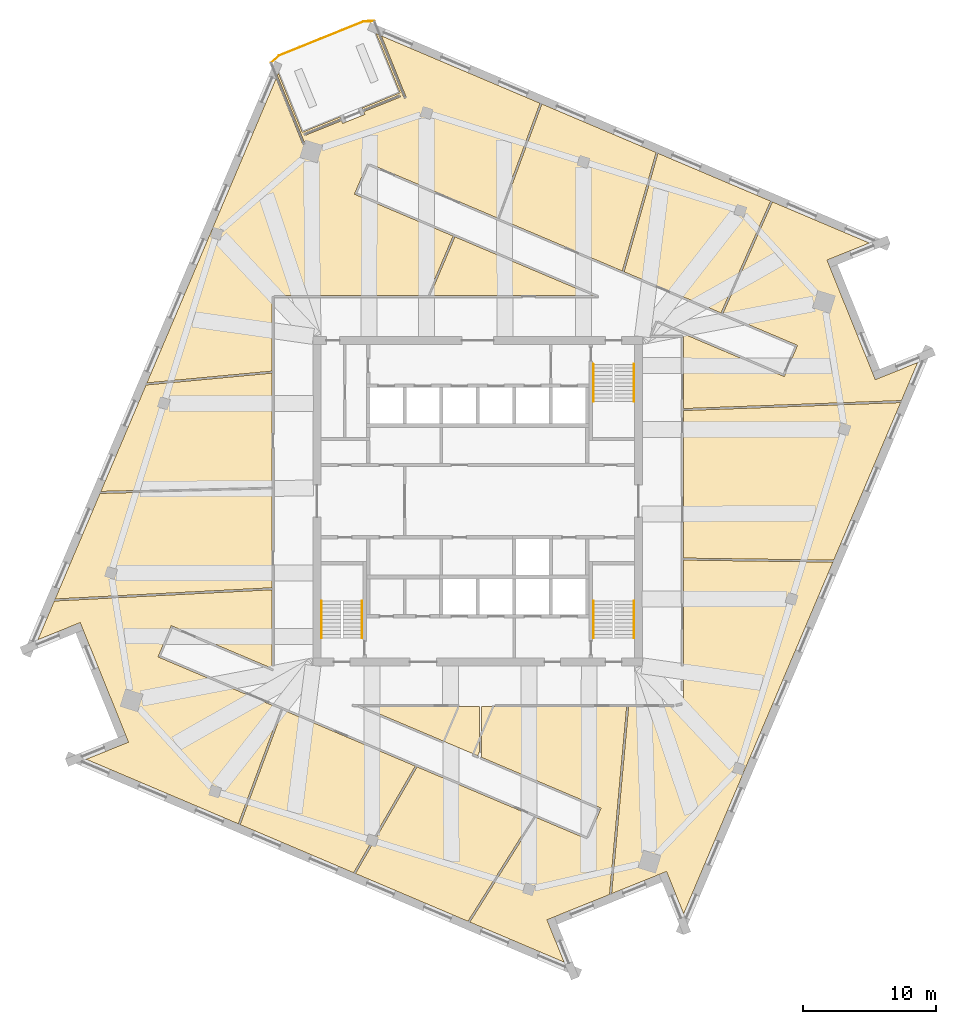
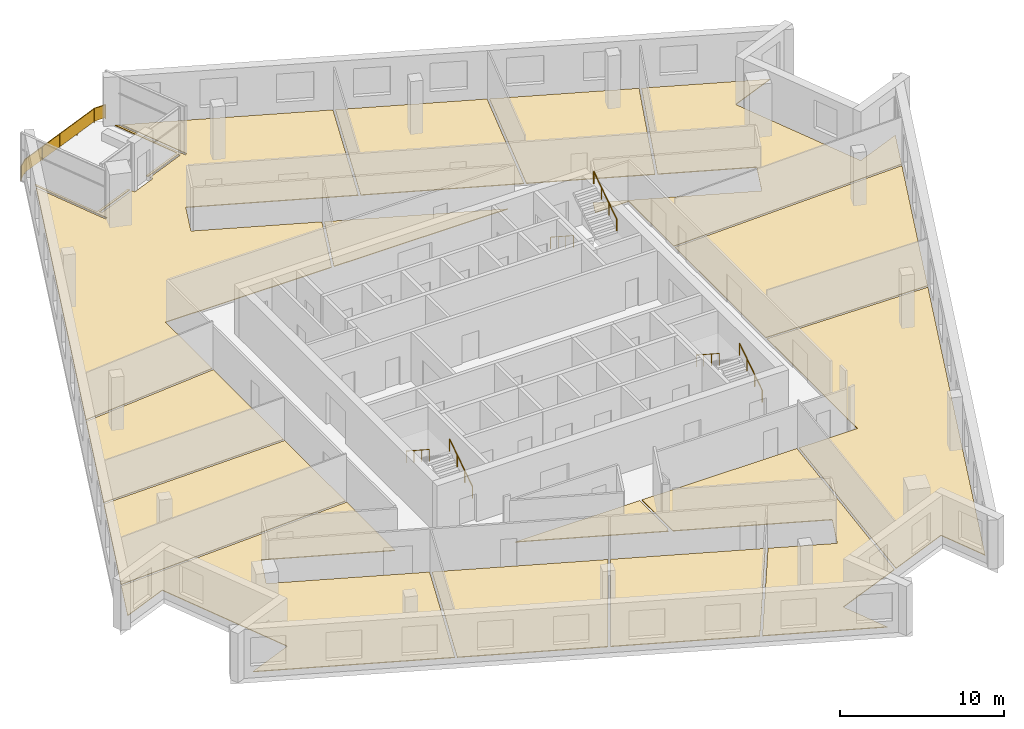
# One storey, part 12 of 13: 14 coverings, 7 railings.
"""IFC4 building model written with IfcOpenShell, lengths in metres."""

from ifc_helpers import new_model, si_unit, direction, frame, origin, origin_2d, place, context, subcontext, project, spatial, polyline, rectangle, circle, outline, extrude, material, layer, layer_set, type_object, element, save


model = new_model("IFC4")

# Units and contexts
model_context = context("Model", 3, precision=1e-05, world=origin(), true_north=direction((0.0, 1.0)))
body_context = subcontext(model_context, "Body", "Model", "MODEL_VIEW")
ifc_project = project(units=[si_unit("LENGTHUNIT", "METRE"), si_unit("AREAUNIT", "SQUARE_METRE"), si_unit("VOLUMEUNIT", "CUBIC_METRE"), si_unit("PLANEANGLEUNIT", "RADIAN"), si_unit("MASSUNIT", "GRAM", prefix="KILO")], contexts=[model_context])

# Site, building, storey
site_placement = place(None, origin())
site = spatial("IfcSite", under=ifc_project, at=site_placement, CompositionType="ELEMENT")
building_placement = place(site_placement, origin())
building = spatial("IfcBuilding", under=site, at=building_placement, Name="Dilmun Exchange Tower", CompositionType="ELEMENT")
storey_placement = place(building_placement, frame((0.0, 0.0, 300.5)))
storey = spatial("IfcBuildingStorey", under=building, at=storey_placement, Name="L71", CompositionType="ELEMENT", Elevation=300.5)

# Coverings
ifc_material_1 = material(Name="Carpet floor finish 50")
ifc_layer_1 = layer(ifc_material_1, 0.050048828125)
ifc_layer_set_1 = layer_set([ifc_layer_1], Name="Carpet floor finish 50")
covering_type_1 = type_object("IfcCoveringType", Name="Carpet floor finish 50", PredefinedType="FLOORING", material=ifc_layer_set_1)
covering_1_placement = place(storey_placement, origin())
element("IfcCovering", 1, at=covering_1_placement, inside=storey, type_object=covering_type_1, Name="Carpet floor finish 50 Garden lounge", PredefinedType="FLOORING", context=body_context, shape_type="SweptSolid", body=[
    extrude(outline(polyline([(-10.367919921875, 28.916259765625), (-10.314208984375, 28.78369140625), (-13.083740234375, 27.664794921875), (-13.083984375, 27.66455078125), (-13.084228515625, 27.66455078125), (-13.084228515625, 27.664306640625), (-13.08447265625, 27.664306640625), (-13.084716796875, 27.664306640625), (-13.084716796875, 27.6640625), (-13.084716796875, 27.663818359375), (-13.0849609375, 27.663818359375), (-13.0849609375, 27.66357421875), (-13.0849609375, 27.663330078125), (-13.085205078125, 27.6630859375), (-13.085205078125, 27.662841796875), (-13.085205078125, 27.66259765625), (-13.0849609375, 27.66259765625), (-13.0849609375, 27.662353515625), (-13.0849609375, 27.662109375), (-13.02490234375, 27.513916015625), (-13.02490234375, 27.513671875), (-13.02490234375, 27.513427734375), (-13.024658203125, 27.51318359375), (-13.024658203125, 27.51318359375), (-13.0244140625, 27.512939453125), (-13.0244140625, 27.512939453125), (-13.024169921875, 27.5126953125), (-13.02392578125, 27.5126953125), (-13.023681640625, 27.5126953125), (-13.0234375, 27.5126953125), (-13.023193359375, 27.512451171875), (-13.023193359375, 27.512451171875), (-13.02294921875, 27.512451171875), (-13.022705078125, 27.5126953125), (-13.022705078125, 27.5126953125), (-13.0224609375, 27.5126953125), (-10.252685546875, 28.631591796875), (-10.171142578125, 28.429443359375), (-10.171142578125, 28.42919921875), (-10.1708984375, 28.42919921875), (-10.1708984375, 28.428955078125), (-10.170654296875, 28.4287109375), (-10.170654296875, 28.4287109375), (-10.17041015625, 28.4287109375), (-10.17041015625, 28.428466796875), (-10.170166015625, 28.428466796875), (-10.169921875, 28.42822265625), (-10.169677734375, 28.42822265625), (-10.16943359375, 28.42822265625), (-10.169189453125, 28.42822265625), (-10.169189453125, 28.42822265625), (-10.1689453125, 28.42822265625), (-10.168701171875, 28.42822265625), (-10.168701171875, 28.428466796875), (-8.499755859375, 29.102783203125), (-8.49951171875, 29.102783203125), (-8.499267578125, 29.102783203125), (-8.499267578125, 29.10302734375), (-8.4990234375, 29.10302734375), (-8.498779296875, 29.103271484375), (-8.498779296875, 29.103515625), (-8.498779296875, 29.103515625), (-8.49853515625, 29.103759765625), (-8.49853515625, 29.10400390625), (-8.49853515625, 29.10400390625), (-8.498291015625, 29.104248046875), (-8.498291015625, 29.1044921875), (-8.498291015625, 29.104736328125), (-8.49853515625, 29.10498046875), (-8.49853515625, 29.10498046875), (-8.49853515625, 29.105224609375), (-8.580078125, 29.307373046875), (-5.810546875, 30.426513671875), (-5.810302734375, 30.426513671875), (-5.810302734375, 30.426513671875), (-5.81005859375, 30.4267578125), (-5.809814453125, 30.4267578125), (-5.809814453125, 30.427001953125), (-5.809814453125, 30.427001953125), (-5.8095703125, 30.42724609375), (-5.8095703125, 30.427490234375), (-5.809326171875, 30.427490234375), (-5.809326171875, 30.427734375), (-5.809326171875, 30.427978515625), (-5.809326171875, 30.42822265625), (-5.809326171875, 30.428466796875), (-5.809326171875, 30.4287109375), (-5.809326171875, 30.4287109375), (-5.8095703125, 30.428955078125), (-5.869384765625, 30.577392578125), (-5.869384765625, 30.577392578125), (-5.86962890625, 30.57763671875), (-5.86962890625, 30.577880859375), (-5.869873046875, 30.577880859375), (-5.8701171875, 30.578125), (-5.8701171875, 30.578125), (-5.870361328125, 30.578369140625), (-5.87060546875, 30.578369140625), (-5.87060546875, 30.57861328125), (-5.870849609375, 30.57861328125), (-5.87109375, 30.57861328125), (-5.87109375, 30.57861328125), (-5.871337890625, 30.57861328125), (-5.87158203125, 30.57861328125), (-5.871826171875, 30.57861328125), (-5.8720703125, 30.578369140625), (-8.6416015625, 29.45947265625), (-8.6953125, 29.592041015625), (-5.856201171875, 30.739013671875), (-7.65234375, 35.18505859375), (-7.46630859375, 35.106201171875), (-5.52685546875, 30.305908203125), (-5.526611328125, 30.3056640625), (-5.526611328125, 30.305419921875), (-5.526611328125, 30.305419921875), (-5.5263671875, 30.30517578125), (-5.5263671875, 30.30517578125), (-5.526123046875, 30.304931640625), (-5.52587890625, 30.304931640625), (-5.52587890625, 30.3046875), (-5.525634765625, 30.3046875), (-5.525390625, 30.3046875), (-5.525146484375, 30.3046875), (-5.52490234375, 30.3046875), (-5.52490234375, 30.3046875), (-5.524658203125, 30.3046875), (-5.5244140625, 30.3046875), (-5.524169921875, 30.3046875), (-5.3759765625, 30.36474609375), (-5.375732421875, 30.36474609375), (-5.37548828125, 30.364990234375), (-5.37548828125, 30.364990234375), (-5.375244140625, 30.364990234375), (-5.375, 30.365234375), (-5.375, 30.365478515625), (-5.375, 30.365478515625), (-5.374755859375, 30.36572265625), (-5.374755859375, 30.365966796875), (-5.374755859375, 30.3662109375), (-5.37451171875, 30.366455078125), (-5.37451171875, 30.36669921875), (-5.37451171875, 30.36669921875), (-5.374755859375, 30.366943359375), (-5.374755859375, 30.3671875), (-5.374755859375, 30.3671875), (-7.252685546875, 35.015380859375), (4.689697265625, 29.946044921875), (1.4921875, 21.30224609375), (-8.284423828125, 25.4521484375), (-9.28076171875, 23.10498046875), (-1.856201171875, 19.953369140625), (-3.757080078125, 15.47509765625), (-15.47509765625, 15.47509765625), (-15.47509765625, 9.785400390625), (-24.90087890625, 8.897705078125), (-15.1728515625, 31.8154296875), (-13.162109375, 26.839111328125), (-13.162109375, 26.8388671875), (-13.162109375, 26.838623046875), (-13.161865234375, 26.83837890625), (-13.161865234375, 26.83837890625), (-13.16162109375, 26.838134765625), (-13.16162109375, 26.838134765625), (-13.161376953125, 26.837890625), (-13.1611328125, 26.837890625), (-13.160888671875, 26.837890625), (-13.160888671875, 26.837890625), (-13.16064453125, 26.837646484375), (-13.160400390625, 26.837646484375), (-13.16015625, 26.837646484375), (-13.159912109375, 26.837890625), (-13.159912109375, 26.837890625), (-13.15966796875, 26.837890625), (-13.01123046875, 26.897705078125), (-13.010986328125, 26.89794921875), (-13.010986328125, 26.89794921875), (-13.0107421875, 26.898193359375), (-13.010498046875, 26.898193359375), (-13.010498046875, 26.8984375), (-13.010498046875, 26.8984375), (-13.01025390625, 26.898681640625), (-13.01025390625, 26.89892578125), (-13.010009765625, 26.899169921875), (-13.010009765625, 26.8994140625), (-13.010009765625, 26.8994140625), (-13.010009765625, 26.899658203125), (-13.010009765625, 26.89990234375), (-13.010009765625, 26.89990234375), (-13.010009765625, 26.900146484375), (-13.01025390625, 26.900390625), (-15.082275390625, 32.029052734375), (-15.00341796875, 32.215087890625), (-13.20703125, 27.769287109375), (-10.367919921875, 28.916259765625)])), origin(), (0.0, 0.0, 1.0), 0.050048828125),
])
covering_2_placement = place(storey_placement, origin())
element("IfcCovering", 2, at=covering_2_placement, inside=storey, type_object=covering_type_1, Name="Carpet floor finish 50 Break-out lounge", PredefinedType="FLOORING", context=body_context, shape_type="SweptSolid", body=[
    extrude(outline(polyline([(0.268310546875, -15.47509765625), (11.2041015625, -15.47509765625), (9.9169921875, -29.608642578125), (5.768310546875, -31.284912109375), (5.2119140625, -31.509521484375), (5.211669921875, -31.509521484375), (5.21142578125, -31.509765625), (5.21142578125, -31.509765625), (5.211181640625, -31.510009765625), (5.211181640625, -31.510009765625), (5.2109375, -31.51025390625), (5.2109375, -31.510498046875), (5.210693359375, -31.510498046875), (5.210693359375, -31.5107421875), (5.210693359375, -31.510986328125), (5.210693359375, -31.51123046875), (5.210693359375, -31.511474609375), (5.210693359375, -31.51171875), (5.210693359375, -31.51171875), (5.210693359375, -31.511962890625), (5.210693359375, -31.51220703125), (6.49658203125, -34.6943359375), (-0.594970703125, -31.684326171875), (4.365478515625, -23.788818359375), (8.284423828125, -25.4521484375), (9.28076171875, -23.10498046875), (0.268310546875, -19.279296875), (0.268310546875, -15.47509765625)])), origin(), (0.0, 0.0, 1.0), 0.050048828125),
])
covering_3_placement = place(storey_placement, origin())
element("IfcCovering", 3, at=covering_3_placement, inside=storey, type_object=covering_type_1, Name="Carpet floor finish 50 Headquarters office", PredefinedType="FLOORING", context=body_context, shape_type="SweptSolid", body=[
    extrude(outline(polyline([(15.47509765625, -4.43505859375), (26.728271484375, -4.5927734375), (15.493896484375, -31.05908203125), (14.208251953125, -27.876953125), (14.2080078125, -27.876708984375), (14.2080078125, -27.876708984375), (14.2080078125, -27.87646484375), (14.207763671875, -27.876220703125), (14.20751953125, -27.876220703125), (14.20751953125, -27.876220703125), (14.207275390625, -27.8759765625), (14.20703125, -27.8759765625), (14.20703125, -27.875732421875), (14.206787109375, -27.875732421875), (14.20654296875, -27.875732421875), (14.206298828125, -27.875732421875), (14.206298828125, -27.875732421875), (14.2060546875, -27.875732421875), (14.205810546875, -27.875732421875), (14.20556640625, -27.8759765625), (13.649658203125, -28.1005859375), (13.649658203125, -28.1005859375), (13.6494140625, -28.1005859375), (13.6494140625, -28.1005859375), (10.0732421875, -29.54541015625), (11.354736328125, -15.47509765625), (15.47509765625, -15.47509765625), (15.47509765625, -4.43505859375)])), origin(), (0.0, 0.0, 1.0), 0.050048828125),
])
ifc_material_2 = material(Name="Rubber floor finish 50")
ifc_layer_2 = layer(ifc_material_2, 0.050048828125)
ifc_layer_set_2 = layer_set([ifc_layer_2], Name="Rubber floor finish 50")
covering_type_2 = type_object("IfcCoveringType", Name="Rubber floor finish 50", PredefinedType="FLOORING", material=ifc_layer_set_2)
covering_4_placement = place(storey_placement, origin())
element("IfcCovering", 4, at=covering_4_placement, inside=storey, type_object=covering_type_2, Name="Rubber floor finish 50 Fitness room 1", PredefinedType="FLOORING", context=body_context, shape_type="SweptSolid", body=[
    extrude(outline(polyline([(-15.47509765625, -6.51904296875), (-31.8037109375, -7.364013671875), (-28.43115234375, 0.5810546875), (-15.47509765625, 0.909423828125), (-15.47509765625, -6.51904296875)])), origin(), (0.0, 0.0, 1.0), 0.050048828125),
])
covering_5_placement = place(storey_placement, origin())
element("IfcCovering", 5, at=covering_5_placement, inside=storey, type_object=covering_type_2, Name="Rubber floor finish 50 Fitness room 2", PredefinedType="FLOORING", context=body_context, shape_type="SweptSolid", body=[
    extrude(outline(polyline([(-14.81396484375, -15.647705078125), (-18.021240234375, -24.287109375), (-29.469970703125, -19.427490234375), (-26.28759765625, -18.141845703125), (-26.28759765625, -18.141845703125), (-26.287353515625, -18.1416015625), (-26.287109375, -18.1416015625), (-26.287109375, -18.1416015625), (-26.286865234375, -18.141357421875), (-26.286865234375, -18.14111328125), (-26.28662109375, -18.14111328125), (-26.28662109375, -18.140869140625), (-26.28662109375, -18.140625), (-26.28662109375, -18.140380859375), (-26.286376953125, -18.140380859375), (-26.286376953125, -18.14013671875), (-26.286376953125, -18.139892578125), (-26.28662109375, -18.1396484375), (-26.28662109375, -18.139404296875), (-26.28662109375, -18.139404296875), (-26.51123046875, -17.58349609375), (-26.51123046875, -17.583251953125), (-26.51123046875, -17.583251953125), (-26.51123046875, -17.5830078125), (-29.695556640625, -9.701904296875), (-29.920166015625, -9.1455078125), (-29.92041015625, -9.1455078125), (-29.92041015625, -9.145263671875), (-29.92041015625, -9.14501953125), (-29.920654296875, -9.14501953125), (-29.9208984375, -9.144775390625), (-29.9208984375, -9.144775390625), (-29.921142578125, -9.14453125), (-29.92138671875, -9.14453125), (-29.92138671875, -9.144287109375), (-29.921630859375, -9.144287109375), (-29.921875, -9.144287109375), (-29.922119140625, -9.144287109375), (-29.92236328125, -9.144287109375), (-29.922607421875, -9.144287109375), (-29.922607421875, -9.144287109375), (-29.9228515625, -9.14453125), (-33.10498046875, -10.43017578125), (-31.868896484375, -7.517578125), (-15.47509765625, -6.669189453125), (-15.47509765625, -12.5966796875), (-23.0673828125, -9.3740234375), (-24.063720703125, -11.72119140625), (-14.81396484375, -15.647705078125)])), origin(), (0.0, 0.0, 1.0), 0.050048828125),
])
covering_6_placement = place(storey_placement, origin())
element("IfcCovering", 6, at=covering_6_placement, inside=storey, type_object=covering_type_2, Name="Rubber floor finish 50 Fitness room 3", PredefinedType="FLOORING", context=body_context, shape_type="SweptSolid", body=[
    extrude(outline(polyline([(-24.508544921875, 0.83056640625), (-28.36669921875, 0.73291015625), (-24.967529296875, 8.74072265625), (-15.47509765625, 9.634765625), (-15.47509765625, 1.059326171875), (-24.508544921875, 0.83056640625)])), origin(), (0.0, 0.0, 1.0), 0.050048828125),
])
covering_7_placement = place(storey_placement, origin())
element("IfcCovering", 7, at=covering_7_placement, inside=storey, type_object=covering_type_2, Name="Rubber floor finish 50 Fitness room 4", PredefinedType="FLOORING", context=body_context, shape_type="SweptSolid", body=[
    extrude(outline(polyline([(18.30908203125, 14.163818359375), (11.0166015625, 17.259521484375), (13.56201171875, 26.18017578125), (22.03857421875, 22.58203125), (18.30908203125, 14.163818359375)])), origin(), (0.0, 0.0, 1.0), 0.050048828125),
])
covering_8_placement = place(storey_placement, origin())
element("IfcCovering", 8, at=covering_8_placement, inside=storey, type_object=covering_type_2, Name="Rubber floor finish 50 Fitness room 5", PredefinedType="FLOORING", context=body_context, shape_type="SweptSolid", body=[
    extrude(outline(polyline([(13.510009765625, 13.430908203125), (23.0673828125, 9.374267578125), (24.063232421875, 11.72119140625), (18.447265625, 14.105224609375), (22.1767578125, 22.523193359375), (29.469970703125, 19.427490234375), (26.28759765625, 18.141845703125), (26.28759765625, 18.141845703125), (26.287353515625, 18.1416015625), (26.287109375, 18.1416015625), (26.287109375, 18.1416015625), (26.286865234375, 18.141357421875), (26.286865234375, 18.14111328125), (26.28662109375, 18.14111328125), (26.28662109375, 18.140869140625), (26.28662109375, 18.140625), (26.28662109375, 18.140380859375), (26.286376953125, 18.140380859375), (26.286376953125, 18.14013671875), (26.286376953125, 18.139892578125), (26.28662109375, 18.1396484375), (26.28662109375, 18.139404296875), (26.28662109375, 18.139404296875), (26.51123046875, 17.58349609375), (26.51123046875, 17.583251953125), (26.51123046875, 17.583251953125), (26.51123046875, 17.5830078125), (29.695556640625, 9.701904296875), (29.920166015625, 9.1455078125), (29.92041015625, 9.1455078125), (29.92041015625, 9.145263671875), (29.92041015625, 9.14501953125), (29.920654296875, 9.14501953125), (29.9208984375, 9.144775390625), (29.9208984375, 9.144775390625), (29.921142578125, 9.14453125), (29.92138671875, 9.14453125), (29.92138671875, 9.144287109375), (29.921630859375, 9.144287109375), (29.921875, 9.144287109375), (29.922119140625, 9.144287109375), (29.92236328125, 9.144287109375), (29.922607421875, 9.144287109375), (29.922607421875, 9.144287109375), (29.9228515625, 9.14453125), (33.10498046875, 10.43017578125), (31.89111328125, 7.56982421875), (15.47509765625, 6.964111328125), (15.47509765625, 12.474609375), (13.104248046875, 12.47509765625), (13.510009765625, 13.430908203125)])), origin(), (0.0, 0.0, 1.0), 0.050048828125),
])

# Railings
ifc_material_3 = material(Name="Stainless steel", Category="steel")
railing_type_1 = type_object("IfcRailingType", Name="Stair handrail 900", PredefinedType="HANDRAIL", material=ifc_material_3)
railing_1_placement = place(storey_placement, frame((8.699951171875, 10.300048828125, 0.181884765625)))
element("IfcRailing", 9, at=railing_1_placement, inside=storey, type_object=railing_type_1, Name="L71 ST1 stair handrail 1", PredefinedType="HANDRAIL", context=body_context, shape_type="SweptSolid", body=[
    extrude(circle(Radius=0.02392578125, at=origin_2d()), frame((0.0, 0.0, 0.8759765625), z_axis=(0.0, -0.838705829183, 0.544584733623), x_axis=(1.0, 0.0, 0.0)), (0.0, 0.0, 1.0), 3.338623046875),
    extrude(circle(Radius=0.02099609375, at=origin_2d()), origin(), (0.0, 0.0, 1.0), 0.851806640625),
    extrude(circle(Radius=0.02099609375, at=origin_2d()), frame((0.0, -0.933349609375, 0.60595703125)), (0.0, 0.0, 1.0), 0.851806640625),
    extrude(circle(Radius=0.02099609375, at=origin_2d()), frame((0.0, -1.86669921875, 1.212158203125)), (0.0, 0.0, 1.0), 0.851806640625),
    extrude(circle(Radius=0.02099609375, at=origin_2d()), frame((0.0, -2.800048828125, 1.818115234375)), (0.0, 0.0, 1.0), 0.851806640625),
])
for number, where, name in (
    (10, (11.75, 7.5, 2.181884765625), "L71 ST1 stair handrail 2"),
    (11, (-8.699951171875, -10.300048828125, 0.181884765625), "L71 ST2 stair handrail 1"),
):
    element("IfcRailing", number, at=place(storey_placement, frame(where)), inside=storey, type_object=railing_type_1, Name=name, PredefinedType="HANDRAIL", context=body_context, shape_type="SweptSolid", body=[
        extrude(circle(Radius=0.02392578125, at=origin_2d()), frame((0.0, 0.0, 0.8759765625), z_axis=(0.0, 0.838705829183, 0.544584733623), x_axis=(-1.0, 0.0, 0.0)), (0.0, 0.0, 1.0), 3.338623046875),
        extrude(circle(Radius=0.02099609375, at=origin_2d()), origin(), (0.0, 0.0, 1.0), 0.851806640625),
        extrude(circle(Radius=0.02099609375, at=origin_2d()), frame((0.0, 0.933349609375, 0.60595703125)), (0.0, 0.0, 1.0), 0.851806640625),
        extrude(circle(Radius=0.02099609375, at=origin_2d()), frame((0.0, 1.86669921875, 1.212158203125)), (0.0, 0.0, 1.0), 0.851806640625),
        extrude(circle(Radius=0.02099609375, at=origin_2d()), frame((0.0, 2.800048828125, 1.818115234375)), (0.0, 0.0, 1.0), 0.851806640625),
    ])
railing_2_placement = place(storey_placement, frame((-11.75, -7.5, 2.181884765625)))
element("IfcRailing", 12, at=railing_2_placement, inside=storey, type_object=railing_type_1, Name="L71 ST2 stair handrail 2", PredefinedType="HANDRAIL", context=body_context, shape_type="SweptSolid", body=[
    extrude(circle(Radius=0.02392578125, at=origin_2d()), frame((0.0, 0.0, 0.8759765625), z_axis=(0.0, -0.838705829183, 0.544584733623), x_axis=(1.0, 0.0, 0.0)), (0.0, 0.0, 1.0), 3.338623046875),
    extrude(circle(Radius=0.02099609375, at=origin_2d()), origin(), (0.0, 0.0, 1.0), 0.851806640625),
    extrude(circle(Radius=0.02099609375, at=origin_2d()), frame((0.0, -0.933349609375, 0.60595703125)), (0.0, 0.0, 1.0), 0.851806640625),
    extrude(circle(Radius=0.02099609375, at=origin_2d()), frame((0.0, -1.86669921875, 1.212158203125)), (0.0, 0.0, 1.0), 0.851806640625),
    extrude(circle(Radius=0.02099609375, at=origin_2d()), frame((0.0, -2.800048828125, 1.818115234375)), (0.0, 0.0, 1.0), 0.851806640625),
])
railing_3_placement = place(storey_placement, frame((11.75, -10.300048828125, 0.181884765625)))
element("IfcRailing", 13, at=railing_3_placement, inside=storey, type_object=railing_type_1, Name="L71 ST3 stair handrail 1", PredefinedType="HANDRAIL", context=body_context, shape_type="SweptSolid", body=[
    extrude(circle(Radius=0.02392578125, at=origin_2d()), frame((0.0, 0.0, 0.8759765625), z_axis=(0.0, 0.838705829183, 0.544584733623), x_axis=(-1.0, 0.0, 0.0)), (0.0, 0.0, 1.0), 3.338623046875),
    extrude(circle(Radius=0.02099609375, at=origin_2d()), origin(), (0.0, 0.0, 1.0), 0.851806640625),
    extrude(circle(Radius=0.02099609375, at=origin_2d()), frame((0.0, 0.933349609375, 0.60595703125)), (0.0, 0.0, 1.0), 0.851806640625),
    extrude(circle(Radius=0.02099609375, at=origin_2d()), frame((0.0, 1.86669921875, 1.212158203125)), (0.0, 0.0, 1.0), 0.851806640625),
    extrude(circle(Radius=0.02099609375, at=origin_2d()), frame((0.0, 2.800048828125, 1.818115234375)), (0.0, 0.0, 1.0), 0.851806640625),
])
railing_4_placement = place(storey_placement, frame((8.699951171875, -7.5, 2.181884765625)))
element("IfcRailing", 14, at=railing_4_placement, inside=storey, type_object=railing_type_1, Name="L71 ST3 stair handrail 2", PredefinedType="HANDRAIL", context=body_context, shape_type="SweptSolid", body=[
    extrude(circle(Radius=0.02392578125, at=origin_2d()), frame((0.0, 0.0, 0.8759765625), z_axis=(0.0, -0.838705829183, 0.544584733623), x_axis=(1.0, 0.0, 0.0)), (0.0, 0.0, 1.0), 3.338623046875),
    extrude(circle(Radius=0.02099609375, at=origin_2d()), origin(), (0.0, 0.0, 1.0), 0.851806640625),
    extrude(circle(Radius=0.02099609375, at=origin_2d()), frame((0.0, -0.933349609375, 0.60595703125)), (0.0, 0.0, 1.0), 0.851806640625),
    extrude(circle(Radius=0.02099609375, at=origin_2d()), frame((0.0, -1.86669921875, 1.212158203125)), (0.0, 0.0, 1.0), 0.851806640625),
    extrude(circle(Radius=0.02099609375, at=origin_2d()), frame((0.0, -2.800048828125, 1.818115234375)), (0.0, 0.0, 1.0), 0.851806640625),
])

# Coverings
ifc_material_4 = material(Name="Stone floor finish 50", Category="masonry")
ifc_layer_3 = layer(ifc_material_4, 0.050048828125)
ifc_layer_set_3 = layer_set([ifc_layer_3], Name="Stone floor finish 50")
covering_type_3 = type_object("IfcCoveringType", Name="Stone floor finish 50", PredefinedType="FLOORING", material=ifc_layer_set_3)
covering_9_placement = place(storey_placement, origin())
element("IfcCovering", 15, at=covering_9_placement, inside=storey, type_object=covering_type_3, Name="Stone floor finish 50 Reception 1", PredefinedType="FLOORING", context=body_context, shape_type="SweptSolid", body=[
    extrude(outline(polyline([(-4.703857421875, -19.93896484375), (-9.34228515625, -27.97119140625), (-17.883056640625, -24.345947265625), (-14.675537109375, -15.706298828125), (-4.703857421875, -19.93896484375)])), origin(), (0.0, 0.0, 1.0), 0.050048828125),
])
covering_10_placement = place(storey_placement, origin())
element("IfcCovering", 16, at=covering_10_placement, inside=storey, type_object=covering_type_3, Name="Stone floor finish 50 Reception 2", PredefinedType="FLOORING", context=body_context, shape_type="SweptSolid", body=[
    extrude(outline(polyline([(4.225830078125, -23.7294921875), (-0.73486328125, -31.625), (-9.203369140625, -28.0302734375), (-4.564697265625, -19.998046875), (4.225830078125, -23.7294921875)])), origin(), (0.0, 0.0, 1.0), 0.050048828125),
])
covering_11_placement = place(storey_placement, origin())
element("IfcCovering", 17, at=covering_11_placement, inside=storey, type_object=covering_type_3, Name="Stone floor finish 50 Reception 3", PredefinedType="FLOORING", context=body_context, shape_type="SweptSolid", body=[
    extrude(outline(polyline([(1.630615234375, 21.24365234375), (4.827880859375, 29.887451171875), (13.4228515625, 26.239013671875), (10.87744140625, 17.318359375), (1.630615234375, 21.24365234375)])), origin(), (0.0, 0.0, 1.0), 0.050048828125),
])

# Railing
railing_type_2 = type_object("IfcRailingType", Name="Terrace guard 1100 stainless steel", PredefinedType="GUARDRAIL", material=ifc_material_3)
railing_5_placement = place(storey_placement, frame((-15.558837890625, 32.98974609375, 0.0)))
element("IfcRailing", 18, at=railing_5_placement, inside=storey, type_object=railing_type_2, Name="Terrace guard 1", PredefinedType="GUARDRAIL", context=body_context, shape_type="SweptSolid", body=[
    extrude(circle(Radius=0.02392578125, at=origin_2d()), frame((0.0, 0.0, 1.076171875), z_axis=(0.739522692087, 0.673131627461, 0.0), x_axis=(-0.673131627461, 0.739522692087, 0.0)), (0.0, 0.0, 1.0), 0.794189453125),
    extrude(rectangle(XDim=0.011962890625, YDim=0.951904296875, at=origin_2d()), frame((0.0, 0.0, 0.576171875), z_axis=(0.739522692087, 0.673131627461, 0.0), x_axis=(-0.673131627461, 0.739522692087, 0.0)), (0.0, 0.0, 1.0), 0.794189453125),
    extrude(circle(Radius=0.02392578125, at=origin_2d()), frame((0.58740234375, 0.53466796875, 1.076171875), z_axis=(0.927175558092, 0.374627127257, 0.0), x_axis=(-0.374627127257, 0.927175558092, 0.0)), (0.0, 0.0, 1.0), 6.888427734375),
    extrude(rectangle(XDim=0.011962890625, YDim=0.951904296875, at=origin_2d()), frame((0.58740234375, 0.53466796875, 0.576171875), z_axis=(0.927175558092, 0.374627127257, 0.0), x_axis=(-0.374627127257, 0.927175558092, 0.0)), (0.0, 0.0, 1.0), 6.888427734375),
    extrude(circle(Radius=0.02392578125, at=origin_2d()), frame((6.97412109375, 3.115234375, 1.076171875), z_axis=(0.999573579295, 0.029200335189, 0.0), x_axis=(-0.029200335189, 0.999573579295, 0.0)), (0.0, 0.0, 1.0), 0.794189453125),
    extrude(rectangle(XDim=0.011962890625, YDim=0.951904296875, at=origin_2d()), frame((6.97412109375, 3.115234375, 0.576171875), z_axis=(0.999573579295, 0.029200335189, 0.0), x_axis=(-0.029200335189, 0.999573579295, 0.0)), (0.0, 0.0, 1.0), 0.794189453125),
    extrude(circle(Radius=0.02099609375, at=origin_2d()), origin(), (0.0, 0.0, 1.0), 1.052001953125),
    extrude(circle(Radius=0.02099609375, at=origin_2d()), frame((0.58740234375, 0.53466796875, 0.0)), (0.0, 0.0, 1.0), 1.052001953125),
    extrude(circle(Radius=0.02099609375, at=origin_2d()), frame((2.18408203125, 1.1796875, 0.0)), (0.0, 0.0, 1.0), 1.052001953125),
    extrude(circle(Radius=0.02099609375, at=origin_2d()), frame((3.78076171875, 1.824951171875, 0.0)), (0.0, 0.0, 1.0), 1.052001953125),
    extrude(circle(Radius=0.02099609375, at=origin_2d()), frame((5.37744140625, 2.47021484375, 0.0)), (0.0, 0.0, 1.0), 1.052001953125),
    extrude(circle(Radius=0.02099609375, at=origin_2d()), frame((6.97412109375, 3.115234375, 0.0)), (0.0, 0.0, 1.0), 1.052001953125),
    extrude(circle(Radius=0.02099609375, at=origin_2d()), frame((7.76806640625, 3.138427734375, 0.0)), (0.0, 0.0, 1.0), 1.052001953125),
])

# Coverings
ifc_material_5 = material(Name="Tile floor finish 50")
ifc_layer_4 = layer(ifc_material_5, 0.050048828125)
ifc_layer_set_4 = layer_set([ifc_layer_4], Name="Tile floor finish 50")
covering_type_4 = type_object("IfcCoveringType", Name="Tile floor finish 50", PredefinedType="FLOORING", material=ifc_layer_set_4)
covering_12_placement = place(storey_placement, origin())
element("IfcCovering", 19, at=covering_12_placement, inside=storey, type_object=covering_type_4, Name="Tile floor finish 50 Pantry 1", PredefinedType="FLOORING", context=body_context, shape_type="SweptSolid", body=[
    extrude(outline(polyline([(0.1181640625, -15.47509765625), (0.1181640625, -18.876708984375), (-0.003662109375, -19.163818359375), (-8.694091796875, -15.47509765625), (0.1181640625, -15.47509765625)])), origin(), (0.0, 0.0, 1.0), 0.050048828125),
])
covering_13_placement = place(storey_placement, origin())
element("IfcCovering", 20, at=covering_13_placement, inside=storey, type_object=covering_type_4, Name="Tile floor finish 50 Pantry 2", PredefinedType="FLOORING", context=body_context, shape_type="SweptSolid", body=[
    extrude(outline(polyline([(-3.59423828125, 15.47509765625), (-1.718017578125, 19.894775390625), (8.694091796875, 15.47509765625), (-3.59423828125, 15.47509765625)])), origin(), (0.0, 0.0, 1.0), 0.050048828125),
])
covering_14_placement = place(storey_placement, origin())
element("IfcCovering", 21, at=covering_14_placement, inside=storey, type_object=covering_type_4, Name="Tile floor finish 50 Staff restaurant", PredefinedType="FLOORING", context=body_context, shape_type="SweptSolid", body=[
    extrude(outline(polyline([(15.47509765625, 6.814208984375), (31.826171875, 7.417236328125), (26.79150390625, -4.443603515625), (15.47509765625, -4.28515625), (15.47509765625, 6.814208984375)])), origin(), (0.0, 0.0, 1.0), 0.050048828125),
])

save(model, "model.ifc")
